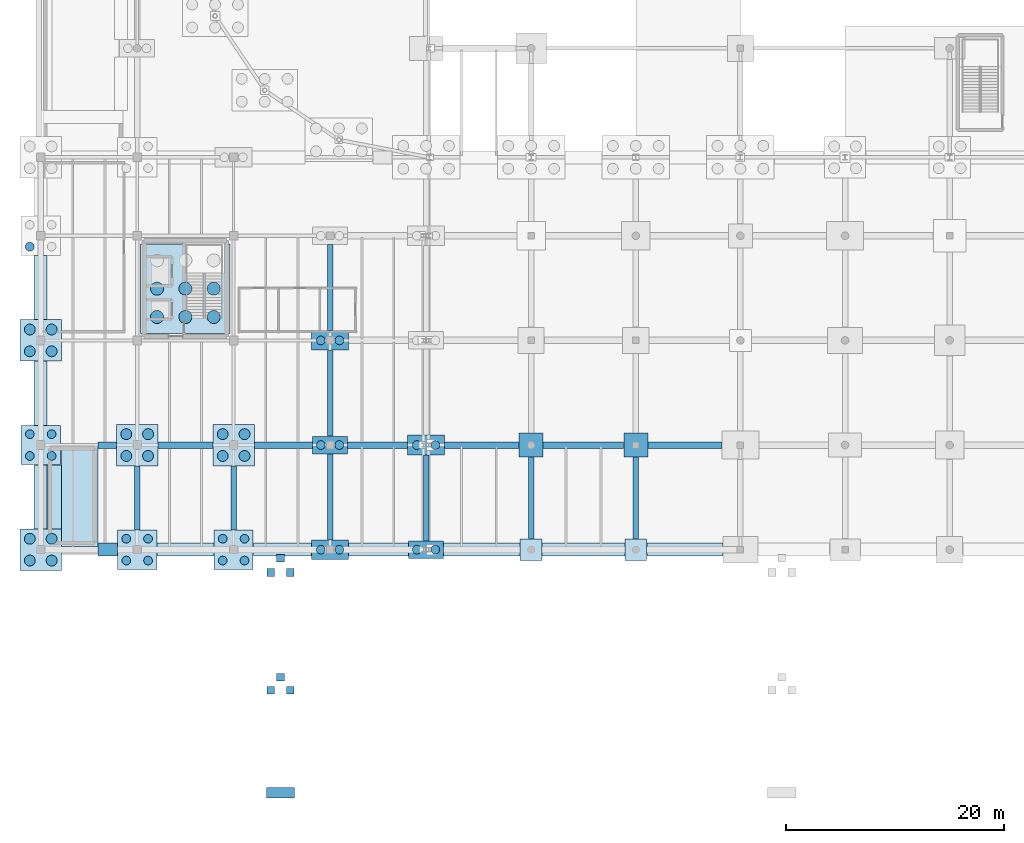
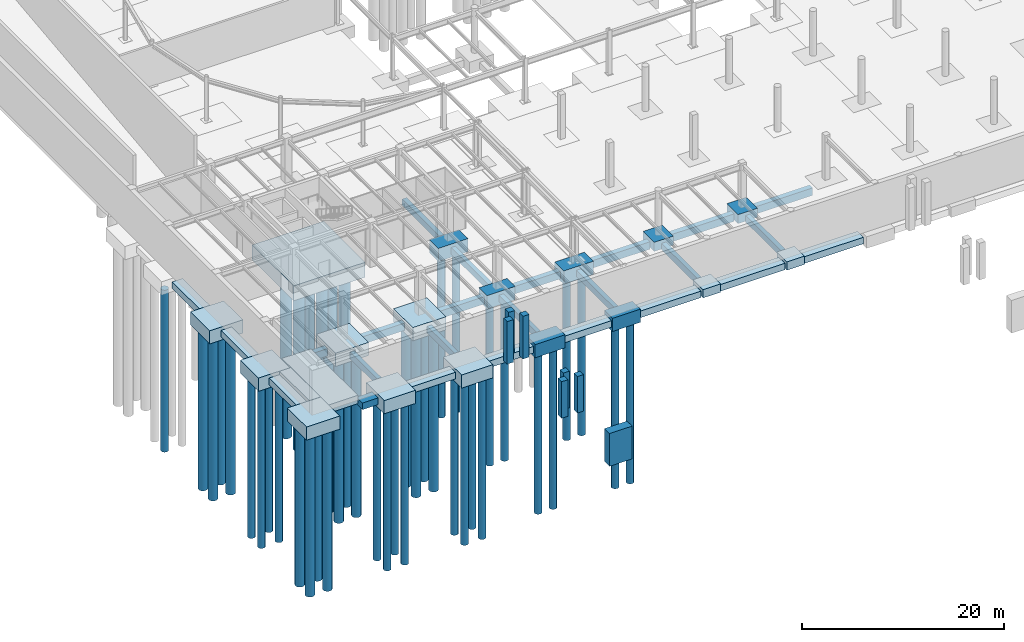
# One storey, part 1 of 50: 51 footings, 45 piles.
"""IFC4 building model written with IfcOpenShell, lengths in metres."""

from ifc_helpers import new_model, si_unit, direction, frame, origin, origin_2d, place, context, subcontext, project, spatial, polyline, rectangle, circle, outline, extrude, material, material_profile, profile_set, type_object, element, save


model = new_model("IFC4")

# Units and contexts
model_context = context("Model", 3, precision=1e-05, world=origin(), true_north=direction((0.0, 1.0)))
body_context = subcontext(model_context, "Body", "Model", "MODEL_VIEW")
ifc_project = project(units=[si_unit("LENGTHUNIT", "METRE"), si_unit("AREAUNIT", "SQUARE_METRE"), si_unit("VOLUMEUNIT", "CUBIC_METRE"), si_unit("PLANEANGLEUNIT", "RADIAN"), si_unit("MASSUNIT", "GRAM", prefix="KILO")], contexts=[model_context])

# Site, building, storey
site_placement = place(None, origin())
site = spatial("IfcSite", under=ifc_project, at=site_placement, CompositionType="ELEMENT")
building_placement = place(site_placement, origin())
building = spatial("IfcBuilding", under=site, at=building_placement, Name="Yeouljin Market Hall", CompositionType="ELEMENT")
storey_placement = place(building_placement, frame((0.0, 0.0, -5.39990234375)))
storey = spatial("IfcBuildingStorey", under=building, at=storey_placement, Name="B1", CompositionType="ELEMENT", Elevation=-5.39990234375)

# Footings
ifc_material_1 = material(Name="Concrete C35/45", Category="concrete")
ifc_material_profile_1 = material_profile(ifc_material_1, rectangle(XDim=0.5, YDim=0.800048828125, at=origin_2d()), Name="RC-500x800")
ifc_profile_set_1 = profile_set([ifc_material_profile_1], Name="Concrete C35/45")
footing_type_1 = type_object("IfcFootingType", Name="FootingBeam_500x800", PredefinedType="FOOTING_BEAM", material=ifc_profile_set_1)
for number, where, z_axis, x_axis, name in (
    (1, (8.85009765625, 1.81005859375, -0.800048828125), (0.0, 1.0, 0.0), (-1.0, 0.0, 0.0), "Foundation tie beam Y-141"),
    (2, (17.699951171875, 1.81005859375, -0.800048828125), (0.0, 1.0, 0.0), (-1.0, 0.0, 0.0), "Foundation tie beam Y-150"),
):
    element("IfcFooting", number, at=place(storey_placement, frame(where, z_axis=z_axis, x_axis=x_axis)), inside=storey, type_object=footing_type_1, Name=name, PredefinedType="FOOTING_BEAM", context=body_context, shape_type="SweptSolid", body=[
        extrude(rectangle(XDim=0.5, YDim=0.800048828125, at=origin_2d()), origin(), (0.0, 0.0, 1.0), 5.8798828125),
    ])
for number, where, z_axis, x_axis, name in (
    (3, (26.550048828125, 0.909912109375, -0.800048828125), (0.0, 1.0, 0.0), (-1.0, 0.0, 0.0), "Foundation tie beam Y-151"),
    (4, (26.550048828125, 10.409912109375, -0.800048828125), (0.0, 1.0, 0.0), (-1.0, 0.0, 0.0), "Foundation tie beam Y-152"),
):
    element("IfcFooting", number, at=place(storey_placement, frame(where, z_axis=z_axis, x_axis=x_axis)), inside=storey, type_object=footing_type_1, Name=name, PredefinedType="FOOTING_BEAM", context=body_context, shape_type="SweptSolid", body=[
        extrude(rectangle(XDim=0.5, YDim=0.800048828125, at=origin_2d()), origin(), (0.0, 0.0, 1.0), 7.880126953125),
    ])
for number, where, z_axis, x_axis, name in (
    (5, (26.550048828125, 20.110107421875, -0.800048828125), (0.0, 1.0, 0.0), (-1.0, 0.0, 0.0), "Foundation tie beam Y-153"),
    (6, (35.360107421875, 0.81005859375, -0.800048828125), (0.0, 1.0, 0.0), (-1.0, 0.0, 0.0), "Foundation tie beam Y-154"),
):
    element("IfcFooting", number, at=place(storey_placement, frame(where, z_axis=z_axis, x_axis=x_axis)), inside=storey, type_object=footing_type_1, Name=name, PredefinedType="FOOTING_BEAM", context=body_context, shape_type="SweptSolid", body=[
        extrude(rectangle(XDim=0.5, YDim=0.800048828125, at=origin_2d()), origin(), (0.0, 0.0, 1.0), 7.8798828125),
    ])
for number, where, z_axis, x_axis, name in (
    (7, (45.0, 1.010009765625, -0.800048828125), (0.0, 1.0, 0.0), (-1.0, 0.0, 0.0), "Foundation tie beam Y-163"),
    (8, (54.60009765625, 1.010009765625, -0.800048828125), (0.0, 1.0, 0.0), (-1.0, 0.0, 0.0), "Foundation tie beam Y-173"),
):
    element("IfcFooting", number, at=place(storey_placement, frame(where, z_axis=z_axis, x_axis=x_axis)), inside=storey, type_object=footing_type_1, Name=name, PredefinedType="FOOTING_BEAM", context=body_context, shape_type="SweptSolid", body=[
        extrude(rectangle(XDim=0.5, YDim=0.800048828125, at=origin_2d()), origin(), (0.0, 0.0, 1.0), 7.47998046875),
    ])
ifc_material_2 = material(Name="Concrete C35/45", Category="concrete")
ifc_material_profile_2 = material_profile(ifc_material_2, rectangle(XDim=0.60009765625, YDim=0.89990234375, at=origin_2d()), Name="RC-600x900")
ifc_profile_set_2 = profile_set([ifc_material_profile_2], Name="Concrete C35/45")
footing_type_2 = type_object("IfcFootingType", Name="FootingBeam_600x900", PredefinedType="FOOTING_BEAM", material=ifc_profile_set_2)
footing_1_placement = place(storey_placement, frame((5.260009765625, 9.60009765625, -0.85009765625), z_axis=(1.0, 0.0, 0.0), x_axis=(0.0, 1.0, 0.0)))
element("IfcFooting", 9, at=footing_1_placement, inside=storey, type_object=footing_type_2, Name="Foundation tie beam X-020", PredefinedType="FOOTING_BEAM", context=body_context, shape_type="SweptSolid", body=[
    extrude(rectangle(XDim=0.60009765625, YDim=0.89990234375, at=origin_2d()), origin(), (0.0, 0.0, 1.0), 1.679931640625),
])
footing_2_placement = place(storey_placement, frame((10.760009765625, 9.60009765625, -0.85009765625), z_axis=(1.0, 0.0, 0.0), x_axis=(0.0, 1.0, 0.0)))
element("IfcFooting", 10, at=footing_2_placement, inside=storey, type_object=footing_type_2, Name="Foundation tie beam X-021", PredefinedType="FOOTING_BEAM", context=body_context, shape_type="SweptSolid", body=[
    extrude(rectangle(XDim=0.60009765625, YDim=0.89990234375, at=origin_2d()), origin(), (0.0, 0.0, 1.0), 5.030029296875),
])
footing_3_placement = place(storey_placement, frame((19.610107421875, 9.60009765625, -0.85009765625), z_axis=(1.0, 0.0, 0.0), x_axis=(0.0, 1.0, 0.0)))
element("IfcFooting", 11, at=footing_3_placement, inside=storey, type_object=footing_type_2, Name="Foundation tie beam X-022", PredefinedType="FOOTING_BEAM", context=body_context, shape_type="SweptSolid", body=[
    extrude(rectangle(XDim=0.60009765625, YDim=0.89990234375, at=origin_2d()), origin(), (0.0, 0.0, 1.0), 5.329833984375),
])
footing_4_placement = place(storey_placement, frame((28.159912109375, 9.60009765625, -0.85009765625), z_axis=(1.0, 0.0, 0.0), x_axis=(0.0, 1.0, 0.0)))
element("IfcFooting", 12, at=footing_4_placement, inside=storey, type_object=footing_type_2, Name="Foundation tie beam X-023", PredefinedType="FOOTING_BEAM", context=body_context, shape_type="SweptSolid", body=[
    extrude(rectangle(XDim=0.60009765625, YDim=0.89990234375, at=origin_2d()), origin(), (0.0, 0.0, 1.0), 5.489990234375),
])
footing_5_placement = place(storey_placement, frame((37.070068359375, 9.60009765625, -0.85009765625), z_axis=(1.0, 0.0, 0.0), x_axis=(0.0, 1.0, 0.0)))
element("IfcFooting", 13, at=footing_5_placement, inside=storey, type_object=footing_type_2, Name="Foundation tie beam X-024", PredefinedType="FOOTING_BEAM", context=body_context, shape_type="SweptSolid", body=[
    extrude(rectangle(XDim=0.60009765625, YDim=0.89990234375, at=origin_2d()), origin(), (0.0, 0.0, 1.0), 6.81982421875),
])
footing_6_placement = place(storey_placement, frame((46.110107421875, 9.60009765625, -0.85009765625), z_axis=(1.0, 0.0, 0.0), x_axis=(0.0, 1.0, 0.0)))
element("IfcFooting", 14, at=footing_6_placement, inside=storey, type_object=footing_type_2, Name="Foundation tie beam X-025", PredefinedType="FOOTING_BEAM", context=body_context, shape_type="SweptSolid", body=[
    extrude(rectangle(XDim=0.60009765625, YDim=0.89990234375, at=origin_2d()), origin(), (0.0, 0.0, 1.0), 7.3798828125),
])
footing_7_placement = place(storey_placement, frame((55.7099609375, 9.60009765625, -0.85009765625), z_axis=(1.0, 0.0, 0.0), x_axis=(0.0, 1.0, 0.0)))
element("IfcFooting", 15, at=footing_7_placement, inside=storey, type_object=footing_type_2, Name="Foundation tie beam X-026", PredefinedType="FOOTING_BEAM", context=body_context, shape_type="SweptSolid", body=[
    extrude(rectangle(XDim=0.60009765625, YDim=0.89990234375, at=origin_2d()), origin(), (0.0, 0.0, 1.0), 6.780029296875),
])
ifc_material_3 = material(Name="Concrete C35/45", Category="concrete")
footing_type_3 = type_object("IfcFootingType", Name="MatFooting_S7W_5880x1290x1000", PredefinedType="PAD_FOOTING", material=ifc_material_3)
footing_8_placement = place(storey_placement, frame((0.0, 0.0, -1.0)))
element("IfcFooting", 16, at=footing_8_placement, inside=storey, type_object=footing_type_3, Name="Core S7 west foundation mat", PredefinedType="PAD_FOOTING", context=body_context, shape_type="SweptSolid", body=[
    extrude(outline(polyline([(0.610107421875, 1.909912109375), (1.89990234375, 1.909912109375), (1.89990234375, 7.7900390625), (0.610107421875, 7.7900390625), (0.610107421875, 1.909912109375)])), origin(), (0.0, 0.0, 1.0), 1.0),
])
ifc_material_4 = material(Name="Concrete C35/45", Category="concrete")
footing_type_4 = type_object("IfcFootingType", Name="MatFooting_S7_9300x3340x1000", PredefinedType="PAD_FOOTING", material=ifc_material_4)
footing_9_placement = place(storey_placement, frame((0.0, 0.0, -1.0)))
element("IfcFooting", 17, at=footing_9_placement, inside=storey, type_object=footing_type_4, Name="Core S7 foundation mat", PredefinedType="PAD_FOOTING", context=body_context, shape_type="SweptSolid", body=[
    extrude(outline(polyline([(1.909912109375, 0.300048828125), (5.25, 0.300048828125), (5.25, 9.60009765625), (1.909912109375, 9.60009765625), (1.909912109375, 0.300048828125)])), origin(), (0.0, 0.0, 1.0), 1.0),
])
ifc_material_5 = material(Name="Concrete C35/45", Category="concrete")
footing_type_5 = type_object("IfcFootingType", Name="PadFooting_2000x2000x1000", PredefinedType="PAD_FOOTING", material=ifc_material_5)
footing_10_placement = place(storey_placement, frame((0.0, 0.0, -1.0)))
element("IfcFooting", 18, at=footing_10_placement, inside=storey, type_object=footing_type_5, Name="Pile cap FPAD-011", PredefinedType="PAD_FOOTING", context=body_context, shape_type="SweptSolid", body=[
    extrude(outline(polyline([(44.0, -1.0), (46.0, -1.0), (46.0, 1.0), (44.0, 1.0), (44.0, -1.0)])), origin(), (0.0, 0.0, 1.0), 1.0),
])
footing_11_placement = place(storey_placement, frame((0.0, 0.0, -1.0)))
element("IfcFooting", 19, at=footing_11_placement, inside=storey, type_object=footing_type_5, Name="Pile cap FPAD-021", PredefinedType="PAD_FOOTING", context=body_context, shape_type="SweptSolid", body=[
    extrude(outline(polyline([(53.60009765625, -1.0), (55.60009765625, -1.0), (55.60009765625, 1.0), (53.60009765625, 1.0), (53.60009765625, -1.0)])), origin(), (0.0, 0.0, 1.0), 1.0),
])
ifc_material_6 = material(Name="Concrete C35/45", Category="concrete")
footing_type_6 = type_object("IfcFootingType", Name="PadFooting_2200x2200x1100", PredefinedType="PAD_FOOTING", material=ifc_material_6)
footing_12_placement = place(storey_placement, frame((0.0, 0.0, -1.10009765625)))
element("IfcFooting", 20, at=footing_12_placement, inside=storey, type_object=footing_type_6, Name="Pile cap FPAD-012", PredefinedType="PAD_FOOTING", context=body_context, shape_type="SweptSolid", body=[
    extrude(outline(polyline([(43.89990234375, 8.5), (46.10009765625, 8.5), (46.10009765625, 10.699951171875), (43.89990234375, 10.699951171875), (43.89990234375, 8.5)])), origin(), (0.0, 0.0, 1.0), 1.10009765625),
])
footing_13_placement = place(storey_placement, frame((0.0, 0.0, -1.10009765625)))
element("IfcFooting", 21, at=footing_13_placement, inside=storey, type_object=footing_type_6, Name="Pile cap FPAD-022", PredefinedType="PAD_FOOTING", context=body_context, shape_type="SweptSolid", body=[
    extrude(outline(polyline([(53.5, 8.5), (55.699951171875, 8.5), (55.699951171875, 10.699951171875), (53.5, 10.699951171875), (53.5, 8.5)])), origin(), (0.0, 0.0, 1.0), 1.10009765625),
])
ifc_material_7 = material(Name="Concrete C35/45", Category="concrete")
footing_type_7 = type_object("IfcFootingType", Name="PierFooting_Ped_2600x1000x3960", PredefinedType="PAD_FOOTING", material=ifc_material_7)
footing_14_placement = place(storey_placement, origin())
element("IfcFooting", 22, at=footing_14_placement, inside=storey, type_object=footing_type_7, Name="Pedestrian ramp foundation pier RMP-PED-01-FBOT", PredefinedType="PAD_FOOTING", context=body_context, shape_type="SweptSolid", body=[
    extrude(outline(polyline([(20.699951171875, -22.800048828125), (23.300048828125, -22.800048828125), (23.300048828125, -21.800048828125), (20.699951171875, -21.800048828125), (20.699951171875, -22.800048828125)])), origin(), (0.0, 0.0, 1.0), 3.9599609375),
])
ifc_material_8 = material(Name="Concrete C35/45", Category="concrete")
footing_type_8 = type_object("IfcFootingType", Name="PierFooting_Ped_700x700x4430", PredefinedType="PAD_FOOTING", material=ifc_material_8)
footing_15_placement = place(storey_placement, origin())
element("IfcFooting", 23, at=footing_15_placement, inside=storey, type_object=footing_type_8, Name="Pedestrian ramp foundation pier RMP-PED-01-FMID1", PredefinedType="PAD_FOOTING", context=body_context, shape_type="SweptSolid", body=[
    extrude(outline(polyline([(20.75, -13.25), (21.449951171875, -13.25), (21.449951171875, -12.550048828125), (20.75, -12.550048828125), (20.75, -13.25)])), origin(), (0.0, 0.0, 1.0), 4.429931640625),
])
footing_16_placement = place(storey_placement, origin())
element("IfcFooting", 24, at=footing_16_placement, inside=storey, type_object=footing_type_8, Name="Pedestrian ramp foundation pier RMP-PED-01-FMID2", PredefinedType="PAD_FOOTING", context=body_context, shape_type="SweptSolid", body=[
    extrude(outline(polyline([(22.550048828125, -13.25), (23.25, -13.25), (23.25, -12.550048828125), (22.550048828125, -12.550048828125), (22.550048828125, -13.25)])), origin(), (0.0, 0.0, 1.0), 4.429931640625),
])
footing_17_placement = place(storey_placement, origin())
element("IfcFooting", 25, at=footing_17_placement, inside=storey, type_object=footing_type_8, Name="Pedestrian ramp foundation pier RMP-PED-01-FMID3", PredefinedType="PAD_FOOTING", context=body_context, shape_type="SweptSolid", body=[
    extrude(outline(polyline([(21.64990234375, -12.050048828125), (22.35009765625, -12.050048828125), (22.35009765625, -11.35009765625), (21.64990234375, -11.35009765625), (21.64990234375, -12.050048828125)])), origin(), (0.0, 0.0, 1.0), 4.429931640625),
])
ifc_material_9 = material(Name="Concrete C35/45", Category="concrete")
footing_type_9 = type_object("IfcFootingType", Name="PierFooting_Ped_700x700x5160", PredefinedType="PAD_FOOTING", material=ifc_material_9)
footing_18_placement = place(storey_placement, origin())
element("IfcFooting", 26, at=footing_18_placement, inside=storey, type_object=footing_type_9, Name="Pedestrian ramp foundation pier RMP-PED-01-FTOP1", PredefinedType="PAD_FOOTING", context=body_context, shape_type="SweptSolid", body=[
    extrude(outline(polyline([(20.75, -2.449951171875), (21.449951171875, -2.449951171875), (21.449951171875, -1.75), (20.75, -1.75), (20.75, -2.449951171875)])), origin(), (0.0, 0.0, 1.0), 5.159912109375),
])
footing_19_placement = place(storey_placement, origin())
element("IfcFooting", 27, at=footing_19_placement, inside=storey, type_object=footing_type_9, Name="Pedestrian ramp foundation pier RMP-PED-01-FTOP2", PredefinedType="PAD_FOOTING", context=body_context, shape_type="SweptSolid", body=[
    extrude(outline(polyline([(22.550048828125, -2.449951171875), (23.25, -2.449951171875), (23.25, -1.75), (22.550048828125, -1.75), (22.550048828125, -2.449951171875)])), origin(), (0.0, 0.0, 1.0), 5.159912109375),
])
footing_20_placement = place(storey_placement, origin())
element("IfcFooting", 28, at=footing_20_placement, inside=storey, type_object=footing_type_9, Name="Pedestrian ramp foundation pier RMP-PED-01-FTOP3", PredefinedType="PAD_FOOTING", context=body_context, shape_type="SweptSolid", body=[
    extrude(outline(polyline([(21.64990234375, -1.14990234375), (22.35009765625, -1.14990234375), (22.35009765625, -0.449951171875), (21.64990234375, -0.449951171875), (21.64990234375, -1.14990234375)])), origin(), (0.0, 0.0, 1.0), 5.159912109375),
])
ifc_material_10 = material(Name="Concrete C35/45", Category="concrete")
footing_type_10 = type_object("IfcFootingType", Name="PileCap_2P_3200x1600x1600", PredefinedType="PILE_CAP", material=ifc_material_10)
footing_21_placement = place(storey_placement, frame((0.0, 0.0, -1.60009765625)))
element("IfcFooting", 29, at=footing_21_placement, inside=storey, type_object=footing_type_10, Name="Pile cap FCAP-C031", PredefinedType="PILE_CAP", context=body_context, shape_type="SweptSolid", body=[
    extrude(outline(polyline([(24.949951171875, 8.800048828125), (28.14990234375, 8.800048828125), (28.14990234375, 10.39990234375), (24.949951171875, 10.39990234375), (24.949951171875, 8.800048828125)])), origin(), (0.0, 0.0, 1.0), 1.60009765625),
])
footing_22_placement = place(storey_placement, frame((0.0, 0.0, -1.60009765625)))
element("IfcFooting", 30, at=footing_22_placement, inside=storey, type_object=footing_type_10, Name="Pile cap FCAP-C037", PredefinedType="PILE_CAP", context=body_context, shape_type="SweptSolid", body=[
    extrude(outline(polyline([(33.760009765625, -0.800048828125), (36.9599609375, -0.800048828125), (36.9599609375, 0.800048828125), (33.760009765625, 0.800048828125), (33.760009765625, -0.800048828125)])), origin(), (0.0, 0.0, 1.0), 1.60009765625),
])
ifc_material_11 = material(Name="Concrete C35/45", Category="concrete")
footing_type_11 = type_object("IfcFootingType", Name="PileCap_2P_3400x1800x1600", PredefinedType="PILE_CAP", material=ifc_material_11)
footing_23_placement = place(storey_placement, frame((0.0, 0.0, -1.60009765625)))
element("IfcFooting", 31, at=footing_23_placement, inside=storey, type_object=footing_type_11, Name="Pile cap FCAP-C030", PredefinedType="PILE_CAP", context=body_context, shape_type="SweptSolid", body=[
    extrude(outline(polyline([(24.85009765625, -0.89990234375), (28.25, -0.89990234375), (28.25, 0.89990234375), (24.85009765625, 0.89990234375), (24.85009765625, -0.89990234375)])), origin(), (0.0, 0.0, 1.0), 1.60009765625),
])
footing_24_placement = place(storey_placement, frame((0.0, 0.0, -1.60009765625)))
element("IfcFooting", 32, at=footing_24_placement, inside=storey, type_object=footing_type_11, Name="Pile cap FCAP-C032", PredefinedType="PILE_CAP", context=body_context, shape_type="SweptSolid", body=[
    extrude(outline(polyline([(24.85009765625, 18.300048828125), (28.25, 18.300048828125), (28.25, 20.10009765625), (24.85009765625, 20.10009765625), (24.85009765625, 18.300048828125)])), origin(), (0.0, 0.0, 1.0), 1.60009765625),
])
footing_25_placement = place(storey_placement, frame((0.0, 0.0, -1.60009765625)))
element("IfcFooting", 33, at=footing_25_placement, inside=storey, type_object=footing_type_11, Name="Pile cap FCAP-C038", PredefinedType="PILE_CAP", context=body_context, shape_type="SweptSolid", body=[
    extrude(outline(polyline([(33.659912109375, 8.699951171875), (37.06005859375, 8.699951171875), (37.06005859375, 10.5), (33.659912109375, 10.5), (33.659912109375, 8.699951171875)])), origin(), (0.0, 0.0, 1.0), 1.60009765625),
])
ifc_material_12 = material(Name="Concrete C35/45", Category="concrete")
footing_type_12 = type_object("IfcFootingType", Name="PileCap_4P_3600x3600x1600", PredefinedType="PILE_CAP", material=ifc_material_12)
footing_26_placement = place(storey_placement, frame((0.0, 0.0, -1.60009765625)))
element("IfcFooting", 34, at=footing_26_placement, inside=storey, type_object=footing_type_12, Name="Pile cap FCAP-C001", PredefinedType="PILE_CAP", context=body_context, shape_type="SweptSolid", body=[
    extrude(outline(polyline([(-1.800048828125, 7.800048828125), (1.800048828125, 7.800048828125), (1.800048828125, 11.39990234375), (-1.800048828125, 11.39990234375), (-1.800048828125, 7.800048828125)])), origin(), (0.0, 0.0, 1.0), 1.60009765625),
])
footing_27_placement = place(storey_placement, frame((0.0, 0.0, -1.60009765625)))
element("IfcFooting", 35, at=footing_27_placement, inside=storey, type_object=footing_type_12, Name="Pile cap FCAP-C007", PredefinedType="PILE_CAP", context=body_context, shape_type="SweptSolid", body=[
    extrude(outline(polyline([(7.050048828125, -1.800048828125), (10.64990234375, -1.800048828125), (10.64990234375, 1.800048828125), (7.050048828125, 1.800048828125), (7.050048828125, -1.800048828125)])), origin(), (0.0, 0.0, 1.0), 1.60009765625),
])
footing_28_placement = place(storey_placement, frame((0.0, 0.0, -1.60009765625)))
element("IfcFooting", 36, at=footing_28_placement, inside=storey, type_object=footing_type_12, Name="Pile cap FCAP-C021", PredefinedType="PILE_CAP", context=body_context, shape_type="SweptSolid", body=[
    extrude(outline(polyline([(15.89990234375, -1.800048828125), (19.5, -1.800048828125), (19.5, 1.800048828125), (15.89990234375, 1.800048828125), (15.89990234375, -1.800048828125)])), origin(), (0.0, 0.0, 1.0), 1.60009765625),
])
ifc_material_13 = material(Name="Concrete C35/45", Category="concrete")
footing_type_13 = type_object("IfcFootingType", Name="PileCap_4P_3800x3800x1600", PredefinedType="PILE_CAP", material=ifc_material_13)
footing_29_placement = place(storey_placement, frame((0.0, 0.0, -1.60009765625)))
element("IfcFooting", 37, at=footing_29_placement, inside=storey, type_object=footing_type_13, Name="Pile cap FCAP-C000", PredefinedType="PILE_CAP", context=body_context, shape_type="SweptSolid", body=[
    extrude(outline(polyline([(-1.89990234375, -1.89990234375), (1.89990234375, -1.89990234375), (1.89990234375, 1.89990234375), (-1.89990234375, 1.89990234375), (-1.89990234375, -1.89990234375)])), origin(), (0.0, 0.0, 1.0), 1.60009765625),
])
footing_30_placement = place(storey_placement, frame((0.0, 0.0, -1.60009765625)))
element("IfcFooting", 38, at=footing_30_placement, inside=storey, type_object=footing_type_13, Name="Pile cap FCAP-C002", PredefinedType="PILE_CAP", context=body_context, shape_type="SweptSolid", body=[
    extrude(outline(polyline([(-1.89990234375, 17.300048828125), (1.89990234375, 17.300048828125), (1.89990234375, 21.10009765625), (-1.89990234375, 21.10009765625), (-1.89990234375, 17.300048828125)])), origin(), (0.0, 0.0, 1.0), 1.60009765625),
])
footing_31_placement = place(storey_placement, frame((0.0, 0.0, -1.60009765625)))
element("IfcFooting", 39, at=footing_31_placement, inside=storey, type_object=footing_type_13, Name="Pile cap FCAP-C008", PredefinedType="PILE_CAP", context=body_context, shape_type="SweptSolid", body=[
    extrude(outline(polyline([(6.949951171875, 7.699951171875), (10.75, 7.699951171875), (10.75, 11.5), (6.949951171875, 11.5), (6.949951171875, 7.699951171875)])), origin(), (0.0, 0.0, 1.0), 1.60009765625),
])
footing_32_placement = place(storey_placement, frame((0.0, 0.0, -1.60009765625)))
element("IfcFooting", 40, at=footing_32_placement, inside=storey, type_object=footing_type_13, Name="Pile cap FCAP-C022", PredefinedType="PILE_CAP", context=body_context, shape_type="SweptSolid", body=[
    extrude(outline(polyline([(15.800048828125, 7.699951171875), (19.60009765625, 7.699951171875), (19.60009765625, 11.5), (15.800048828125, 11.5), (15.800048828125, 7.699951171875)])), origin(), (0.0, 0.0, 1.0), 1.60009765625),
])
ifc_material_14 = material(Name="Concrete C35/45", Category="concrete")
footing_type_14 = type_object("IfcFootingType", Name="PileCap_9P_8200x8200x1800", PredefinedType="PILE_CAP", material=ifc_material_14)
footing_33_placement = place(storey_placement, frame((0.0, 0.0, -1.800048828125)))
element("IfcFooting", 41, at=footing_33_placement, inside=storey, type_object=footing_type_14, Name="Pile cap FCAP-CORE-C1", PredefinedType="PILE_CAP", context=body_context, shape_type="SweptSolid", body=[
    extrude(outline(polyline([(9.175048828125, 19.85009765625), (17.375, 19.85009765625), (17.375, 28.050048828125), (9.175048828125, 28.050048828125), (9.175048828125, 19.85009765625)])), origin(), (0.0, 0.0, 1.0), 1.800048828125),
])

# Piles
ifc_material_15 = material(Name="Concrete C35/45", Category="concrete")
ifc_material_profile_3 = material_profile(ifc_material_15, circle(Radius=0.5, at=origin_2d()), Name="PILE-D1000")
ifc_profile_set_3 = profile_set([ifc_material_profile_3], Name="Concrete C35/45")
pile_type_1 = type_object("IfcPileType", Name="Pile_PILE-D1000", PredefinedType="BORED", material=ifc_profile_set_3)
for number, where, z_axis, x_axis, name in (
    (42, (-1.0, -1.0, -1.5), (0.0, 0.0, -1.0), (1.0, 0.0, 0.0), "Bored pile 055"),
    (43, (-1.0, 1.0, -1.5), (0.0, 0.0, -1.0), (1.0, 0.0, 0.0), "Bored pile 056"),
    (44, (1.0, -1.0, -1.5), (0.0, 0.0, -1.0), (1.0, 0.0, 0.0), "Bored pile 057"),
    (45, (1.0, 1.0, -1.5), (0.0, 0.0, -1.0), (1.0, 0.0, 0.0), "Bored pile 058"),
    (46, (-1.0, 18.199951171875, -1.5), (0.0, 0.0, -1.0), (1.0, 0.0, 0.0), "Bored pile 063"),
    (47, (-1.0, 20.199951171875, -1.5), (0.0, 0.0, -1.0), (1.0, 0.0, 0.0), "Bored pile 064"),
    (48, (1.0, 18.199951171875, -1.5), (0.0, 0.0, -1.0), (1.0, 0.0, 0.0), "Bored pile 065"),
    (49, (1.0, 20.199951171875, -1.5), (0.0, 0.0, -1.0), (1.0, 0.0, 0.0), "Bored pile 066"),
    (50, (7.85009765625, 8.60009765625, -1.5), (0.0, 0.0, -1.0), (1.0, 0.0, 0.0), "Bored pile 083"),
    (51, (7.85009765625, 10.60009765625, -1.5), (0.0, 0.0, -1.0), (1.0, 0.0, 0.0), "Bored pile 084"),
    (52, (9.85009765625, 8.60009765625, -1.5), (0.0, 0.0, -1.0), (1.0, 0.0, 0.0), "Bored pile 085"),
    (53, (9.85009765625, 10.60009765625, -1.5), (0.0, 0.0, -1.0), (1.0, 0.0, 0.0), "Bored pile 086"),
    (54, (16.699951171875, 8.60009765625, -1.5), (0.0, 0.0, -1.0), (1.0, 0.0, 0.0), "Bored pile 115"),
    (55, (16.699951171875, 10.60009765625, -1.5), (0.0, 0.0, -1.0), (1.0, 0.0, 0.0), "Bored pile 116"),
    (56, (18.699951171875, 8.60009765625, -1.5), (0.0, 0.0, -1.0), (1.0, 0.0, 0.0), "Bored pile 117"),
    (57, (18.699951171875, 10.60009765625, -1.5), (0.0, 0.0, -1.0), (1.0, 0.0, 0.0), "Bored pile 118"),
):
    element("IfcPile", number, at=place(storey_placement, frame(where, z_axis=z_axis, x_axis=x_axis)), inside=storey, type_object=pile_type_1, Name=name, PredefinedType="BORED", context=body_context, shape_type="SweptSolid", body=[
        extrude(circle(Radius=0.5, at=origin_2d()), origin(), (0.0, 0.0, 1.0), 19.60009765625),
    ])
ifc_material_16 = material(Name="Concrete C35/45", Category="concrete")
ifc_material_profile_4 = material_profile(ifc_material_16, circle(Radius=0.60009765625, at=origin_2d()), Name="PILE-D1200")
ifc_profile_set_4 = profile_set([ifc_material_profile_4], Name="Concrete C35/45")
pile_type_2 = type_object("IfcPileType", Name="Pile_PILE-D1200", PredefinedType="BORED", material=ifc_profile_set_4)
for number, where, z_axis, x_axis, name in (
    (58, (10.675048828125, 21.35009765625, -1.7001953125), (0.0, 0.0, -1.0), (1.0, 0.0, 0.0), "Bored pile 001"),
    (59, (10.675048828125, 23.949951171875, -1.7001953125), (0.0, 0.0, -1.0), (1.0, 0.0, 0.0), "Bored pile 002"),
    (60, (13.27490234375, 21.35009765625, -1.7001953125), (0.0, 0.0, -1.0), (1.0, 0.0, 0.0), "Bored pile 004"),
    (61, (13.27490234375, 23.949951171875, -1.7001953125), (0.0, 0.0, -1.0), (1.0, 0.0, 0.0), "Bored pile 005"),
    (62, (15.875, 21.35009765625, -1.7001953125), (0.0, 0.0, -1.0), (1.0, 0.0, 0.0), "Bored pile 007"),
    (63, (15.875, 23.949951171875, -1.7001953125), (0.0, 0.0, -1.0), (1.0, 0.0, 0.0), "Bored pile 008"),
):
    element("IfcPile", number, at=place(storey_placement, frame(where, z_axis=z_axis, x_axis=x_axis)), inside=storey, type_object=pile_type_2, Name=name, PredefinedType="BORED", context=body_context, shape_type="SweptSolid", body=[
        extrude(circle(Radius=0.60009765625, at=origin_2d()), origin(), (0.0, 0.0, 1.0), 19.39990234375),
    ])
ifc_material_17 = material(Name="Concrete C35/45", Category="concrete")
ifc_material_profile_5 = material_profile(ifc_material_17, circle(Radius=0.39990234375, at=origin_2d()), Name="PILE-D800")
ifc_profile_set_5 = profile_set([ifc_material_profile_5], Name="Concrete C35/45")
pile_type_3 = type_object("IfcPileType", Name="Pile_PILE-D800", PredefinedType="BORED", material=ifc_profile_set_5)
for number, where, z_axis, x_axis, name in (
    (64, (-1.0, 8.60009765625, -1.5), (0.0, 0.0, -1.0), (1.0, 0.0, 0.0), "Bored pile 059"),
    (65, (-1.0, 10.60009765625, -1.5), (0.0, 0.0, -1.0), (1.0, 0.0, 0.0), "Bored pile 060"),
    (66, (1.0, 8.60009765625, -1.5), (0.0, 0.0, -1.0), (1.0, 0.0, 0.0), "Bored pile 061"),
    (67, (1.0, 10.60009765625, -1.5), (0.0, 0.0, -1.0), (1.0, 0.0, 0.0), "Bored pile 062"),
    (68, (-1.0, 27.800048828125, -1.5), (0.0, 0.0, -1.0), (1.0, 0.0, 0.0), "Bored pile 067"),
    (69, (7.85009765625, -1.0, -1.5), (0.0, 0.0, -1.0), (1.0, 0.0, 0.0), "Bored pile 079"),
    (70, (7.85009765625, 1.0, -1.5), (0.0, 0.0, -1.0), (1.0, 0.0, 0.0), "Bored pile 080"),
    (71, (9.85009765625, -1.0, -1.5), (0.0, 0.0, -1.0), (1.0, 0.0, 0.0), "Bored pile 081"),
    (72, (9.85009765625, 1.0, -1.5), (0.0, 0.0, -1.0), (1.0, 0.0, 0.0), "Bored pile 082"),
    (73, (16.699951171875, -1.0, -1.5), (0.0, 0.0, -1.0), (1.0, 0.0, 0.0), "Bored pile 111"),
    (74, (16.699951171875, 1.0, -1.5), (0.0, 0.0, -1.0), (1.0, 0.0, 0.0), "Bored pile 112"),
    (75, (18.699951171875, -1.0, -1.5), (0.0, 0.0, -1.0), (1.0, 0.0, 0.0), "Bored pile 113"),
    (76, (18.699951171875, 1.0, -1.5), (0.0, 0.0, -1.0), (1.0, 0.0, 0.0), "Bored pile 114"),
    (77, (25.699951171875, 0.0, -1.5), (0.0, 0.0, -1.0), (1.0, 0.0, 0.0), "Bored pile 133"),
    (78, (27.39990234375, 0.0, -1.5), (0.0, 0.0, -1.0), (1.0, 0.0, 0.0), "Bored pile 134"),
    (79, (25.699951171875, 9.60009765625, -1.5), (0.0, 0.0, -1.0), (1.0, 0.0, 0.0), "Bored pile 135"),
    (80, (27.39990234375, 9.60009765625, -1.5), (0.0, 0.0, -1.0), (1.0, 0.0, 0.0), "Bored pile 136"),
    (81, (25.699951171875, 19.199951171875, -1.5), (0.0, 0.0, -1.0), (1.0, 0.0, 0.0), "Bored pile 137"),
    (82, (27.39990234375, 19.199951171875, -1.5), (0.0, 0.0, -1.0), (1.0, 0.0, 0.0), "Bored pile 138"),
    (83, (34.510009765625, 0.0, -1.5), (0.0, 0.0, -1.0), (1.0, 0.0, 0.0), "Bored pile 153"),
    (84, (36.2099609375, 0.0, -1.5), (0.0, 0.0, -1.0), (1.0, 0.0, 0.0), "Bored pile 154"),
    (85, (34.510009765625, 9.60009765625, -1.5), (0.0, 0.0, -1.0), (1.0, 0.0, 0.0), "Bored pile 155"),
    (86, (36.2099609375, 9.60009765625, -1.5), (0.0, 0.0, -1.0), (1.0, 0.0, 0.0), "Bored pile 156"),
):
    element("IfcPile", number, at=place(storey_placement, frame(where, z_axis=z_axis, x_axis=x_axis)), inside=storey, type_object=pile_type_3, Name=name, PredefinedType="BORED", context=body_context, shape_type="SweptSolid", body=[
        extrude(circle(Radius=0.39990234375, at=origin_2d()), origin(), (0.0, 0.0, 1.0), 19.60009765625),
    ])

# Footings
ifc_material_18 = material(Name="Concrete C35/45", Category="concrete")
ifc_material_profile_6 = material_profile(ifc_material_18, rectangle(XDim=1.199951171875, YDim=0.800048828125, at=origin_2d()), Name="SF-1200x800")
ifc_profile_set_6 = profile_set([ifc_material_profile_6], Name="Concrete C35/45")
footing_type_15 = type_object("IfcFootingType", Name="StripFooting_1200x800", PredefinedType="STRIP_FOOTING", material=ifc_profile_set_6)
footing_34_placement = place(storey_placement, frame((5.260009765625, 0.0, -0.800048828125), z_axis=(1.0, 0.0, 0.0), x_axis=(0.0, 1.0, 0.0)))
element("IfcFooting", 87, at=footing_34_placement, inside=storey, type_object=footing_type_15, Name="Foundation tie beam X-001", PredefinedType="STRIP_FOOTING", context=body_context, shape_type="SweptSolid", body=[
    extrude(rectangle(XDim=1.199951171875, YDim=0.800048828125, at=origin_2d()), origin(), (0.0, 0.0, 1.0), 1.780029296875),
])
footing_35_placement = place(storey_placement, frame((10.659912109375, 0.0, -0.800048828125), z_axis=(1.0, 0.0, 0.0), x_axis=(0.0, 1.0, 0.0)))
element("IfcFooting", 88, at=footing_35_placement, inside=storey, type_object=footing_type_15, Name="Foundation tie beam X-002", PredefinedType="STRIP_FOOTING", context=body_context, shape_type="SweptSolid", body=[
    extrude(rectangle(XDim=1.199951171875, YDim=0.800048828125, at=origin_2d()), origin(), (0.0, 0.0, 1.0), 5.22998046875),
])
footing_36_placement = place(storey_placement, frame((19.510009765625, 0.0, -0.800048828125), z_axis=(1.0, 0.0, 0.0), x_axis=(0.0, 1.0, 0.0)))
element("IfcFooting", 89, at=footing_36_placement, inside=storey, type_object=footing_type_15, Name="Foundation tie beam X-003", PredefinedType="STRIP_FOOTING", context=body_context, shape_type="SweptSolid", body=[
    extrude(rectangle(XDim=1.199951171875, YDim=0.800048828125, at=origin_2d()), origin(), (0.0, 0.0, 1.0), 5.330078125),
])
footing_37_placement = place(storey_placement, frame((28.260009765625, 0.0, -0.800048828125), z_axis=(1.0, 0.0, 0.0), x_axis=(0.0, 1.0, 0.0)))
element("IfcFooting", 90, at=footing_37_placement, inside=storey, type_object=footing_type_15, Name="Foundation tie beam X-004", PredefinedType="STRIP_FOOTING", context=body_context, shape_type="SweptSolid", body=[
    extrude(rectangle(XDim=1.199951171875, YDim=0.800048828125, at=origin_2d()), origin(), (0.0, 0.0, 1.0), 5.489990234375),
])
footing_38_placement = place(storey_placement, frame((36.969970703125, 0.0, -0.800048828125), z_axis=(1.0, 0.0, 0.0), x_axis=(0.0, 1.0, 0.0)))
element("IfcFooting", 91, at=footing_38_placement, inside=storey, type_object=footing_type_15, Name="Foundation tie beam X-005", PredefinedType="STRIP_FOOTING", context=body_context, shape_type="SweptSolid", body=[
    extrude(rectangle(XDim=1.199951171875, YDim=0.800048828125, at=origin_2d()), origin(), (0.0, 0.0, 1.0), 7.02001953125),
])
footing_39_placement = place(storey_placement, frame((46.010009765625, 0.0, -0.800048828125), z_axis=(1.0, 0.0, 0.0), x_axis=(0.0, 1.0, 0.0)))
element("IfcFooting", 92, at=footing_39_placement, inside=storey, type_object=footing_type_15, Name="Foundation tie beam X-006", PredefinedType="STRIP_FOOTING", context=body_context, shape_type="SweptSolid", body=[
    extrude(rectangle(XDim=1.199951171875, YDim=0.800048828125, at=origin_2d()), origin(), (0.0, 0.0, 1.0), 7.580078125),
])
footing_40_placement = place(storey_placement, frame((55.610107421875, 0.0, -0.800048828125), z_axis=(1.0, 0.0, 0.0), x_axis=(0.0, 1.0, 0.0)))
element("IfcFooting", 93, at=footing_40_placement, inside=storey, type_object=footing_type_15, Name="Foundation tie beam X-007", PredefinedType="STRIP_FOOTING", context=body_context, shape_type="SweptSolid", body=[
    extrude(rectangle(XDim=1.199951171875, YDim=0.800048828125, at=origin_2d()), origin(), (0.0, 0.0, 1.0), 6.97998046875),
])
for number, where, z_axis, x_axis, name in (
    (94, (0.0, 1.909912109375, -0.800048828125), (0.0, 1.0, 0.0), (-1.0, 0.0, 0.0), "Foundation tie beam Y-136"),
    (95, (0.0, 11.409912109375, -0.800048828125), (0.0, 1.0, 0.0), (-1.0, 0.0, 0.0), "Foundation tie beam Y-137"),
):
    element("IfcFooting", number, at=place(storey_placement, frame(where, z_axis=z_axis, x_axis=x_axis)), inside=storey, type_object=footing_type_15, Name=name, PredefinedType="STRIP_FOOTING", context=body_context, shape_type="SweptSolid", body=[
        extrude(rectangle(XDim=1.199951171875, YDim=0.800048828125, at=origin_2d()), origin(), (0.0, 0.0, 1.0), 5.880126953125),
    ])
footing_41_placement = place(storey_placement, frame((0.0, 21.110107421875, -0.800048828125), z_axis=(0.0, 1.0, 0.0), x_axis=(-1.0, 0.0, 0.0)))
element("IfcFooting", 96, at=footing_41_placement, inside=storey, type_object=footing_type_15, Name="Foundation tie beam Y-138", PredefinedType="STRIP_FOOTING", context=body_context, shape_type="SweptSolid", body=[
    extrude(rectangle(XDim=1.199951171875, YDim=0.800048828125, at=origin_2d()), origin(), (0.0, 0.0, 1.0), 5.8798828125),
])

save(model, "model.ifc")
